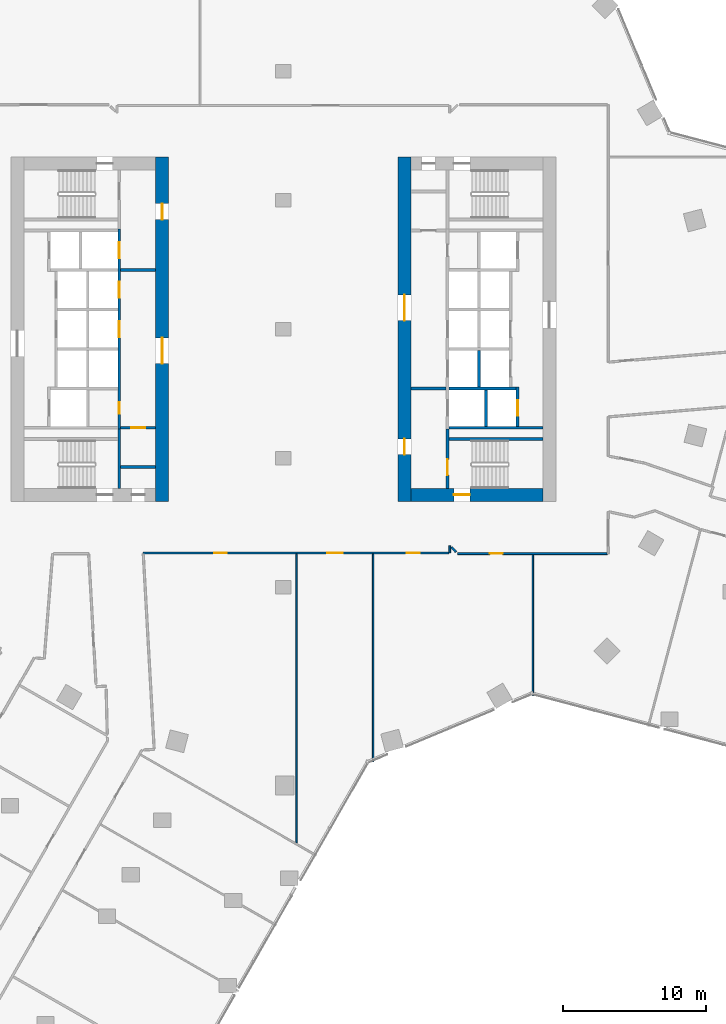
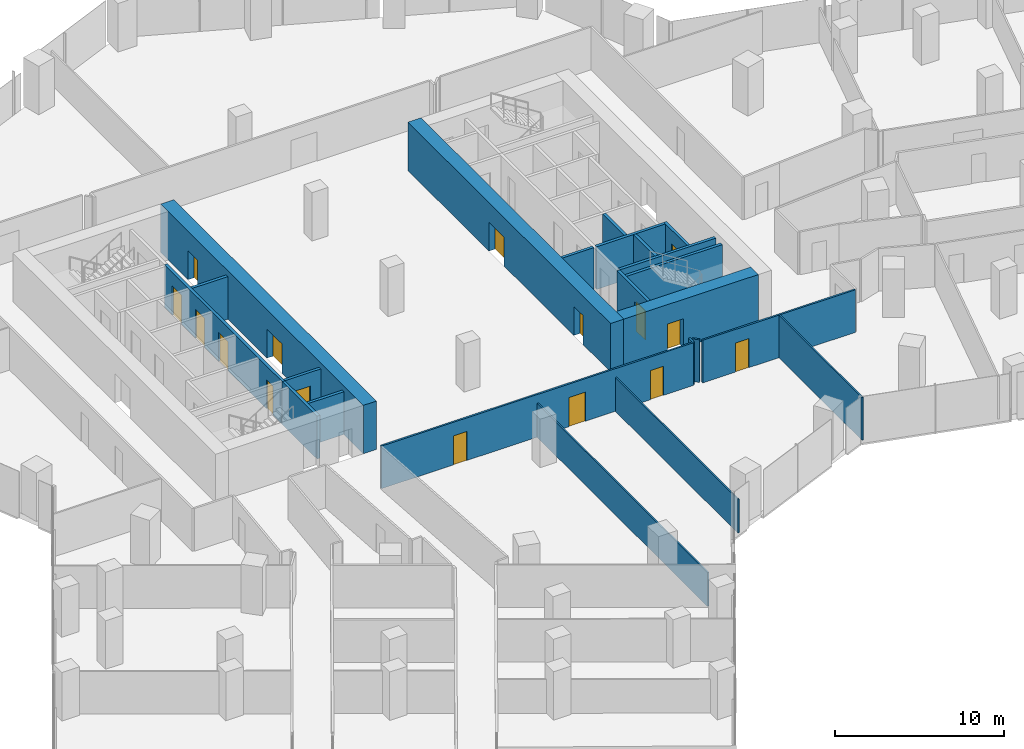
# One storey, part 28 of 35: 23 walls, 16 doors, 16 openings.
"""IFC4 building model written with IfcOpenShell, lengths in metres."""

from ifc_helpers import new_model, si_unit, direction, frame, frame_2d, origin, place, context, subcontext, project, spatial, rectangle, extrude, material, layer, layer_set, type_object, element, fill, save


model = new_model("IFC4")

# Units and contexts
model_context = context("Model", 3, precision=1e-05, world=origin(), true_north=direction((0.0, 1.0)))
body_context = subcontext(model_context, "Body", "Model", "MODEL_VIEW")
ifc_project = project(units=[si_unit("LENGTHUNIT", "METRE"), si_unit("AREAUNIT", "SQUARE_METRE"), si_unit("VOLUMEUNIT", "CUBIC_METRE"), si_unit("PLANEANGLEUNIT", "RADIAN"), si_unit("MASSUNIT", "GRAM", prefix="KILO")], contexts=[model_context])

# Site, building, storey
site_placement = place(None, origin())
site = spatial("IfcSite", under=ifc_project, at=site_placement, CompositionType="ELEMENT")
building_placement = place(site_placement, origin())
building = spatial("IfcBuilding", under=site, at=building_placement, Name="Orlundy Tower", CompositionType="ELEMENT")
storey_placement = place(building_placement, frame((0.0, 0.0, 116.199951171875)))
storey = spatial("IfcBuildingStorey", under=building, at=storey_placement, Name="L29", CompositionType="ELEMENT", Elevation=116.199951171875)

# Wall, openings, doors
ifc_material_1 = material(Name="Concrete C80/95", Category="concrete")
ifc_layer_1 = layer(ifc_material_1, 0.89990234375)
ifc_layer_set_1 = layer_set([ifc_layer_1], Name="CORE WALL 900 C80/95")
wall_type_1 = type_object("IfcWallType", Name="CORE WALL 900 C80/95", PredefinedType="SHEAR", material=ifc_layer_set_1)
wall_1_placement = place(storey_placement, frame((-8.449951171875, -12.0, 0.0), z_axis=(0.0, 0.0, 1.0), x_axis=(0.0, 1.0, 0.0)))
wall_1 = element("IfcWall", 1, at=wall_1_placement, inside=storey, type_object=wall_type_1, Name="Core wall W-E L29", PredefinedType="SHEAR", context=body_context, shape_type="SweptSolid", body=[
    extrude(rectangle(XDim=24.0, YDim=0.89990234375, at=frame_2d((12.0, 0.0))), origin(), (0.0, 0.0, 1.0), 3.5),
])
opening_1_placement = place(wall_1_placement, frame((9.60009765625, 0.0, 0.0)))
opening_1 = element("IfcOpeningElement", 2, at=opening_1_placement, cuts=wall_1, Name="Opening 22009", PredefinedType="OPENING", context=body_context, shape_type="SweptSolid", body=[
    extrude(rectangle(XDim=1.800048828125, YDim=2.10009765625, at=frame_2d((0.89990234375, 1.050048828125))), frame((0.0, 0.4599609375, 0.0), z_axis=(0.0, -1.0, 0.0), x_axis=(1.0, 0.0, 0.0)), (0.0, 0.0, 1.0), 0.919921875),
])
opening_2_placement = place(wall_1_placement, frame((19.64990234375, 0.0, 0.0)))
opening_2 = element("IfcOpeningElement", 3, at=opening_2_placement, cuts=wall_1, Name="Opening 22011", PredefinedType="OPENING", context=body_context, shape_type="SweptSolid", body=[
    extrude(rectangle(XDim=1.10009765625, YDim=2.10009765625, at=frame_2d((0.550048828125, 1.050048828125))), frame((0.0, 0.4599609375, 0.0), z_axis=(0.0, -1.0, 0.0), x_axis=(1.0, 0.0, 0.0)), (0.0, 0.0, 1.0), 0.919921875),
])
ifc_material_2 = material(Name="Steel door set", Category="steel")
door_type_1 = type_object("IfcDoorType", Name="Fire-fighting Lobby Door 1100x2100", OperationType="SINGLE_SWING_LEFT", PredefinedType="DOOR", material=ifc_material_2)
door_1_placement = place(opening_2_placement, origin())
door_1 = element("IfcDoor", 4, at=door_1_placement, inside=storey, type_object=door_type_1, Name="Fire-fighting lobby door 22011", OperationType="SINGLE_SWING_RIGHT", OverallHeight=2.10009765625, OverallWidth=1.10009765625, PredefinedType="DOOR", context=body_context, shape_type="SweptSolid", body=[
    extrude(rectangle(XDim=1.10009765625, YDim=2.10009765625, at=frame_2d((0.550048828125, 1.050048828125))), frame((0.0, 0.02490234375, 0.0), z_axis=(0.0, -1.0, 0.0), x_axis=(1.0, 0.0, 0.0)), (0.0, 0.0, 1.0), 0.050048828125),
])
fill(opening_2, door_1)
ifc_material_3 = material(Name="Timber door set", Category="wood")
door_type_2 = type_object("IfcDoorType", Name="Lobby Door 1800x2100", OperationType="DOUBLE_DOOR_DOUBLE_SWING", PredefinedType="DOOR", material=ifc_material_3)
door_2_placement = place(opening_1_placement, origin())
door_2 = element("IfcDoor", 5, at=door_2_placement, inside=storey, type_object=door_type_2, Name="Lift lobby door 22009", OperationType="SINGLE_SWING_LEFT", OverallHeight=2.10009765625, OverallWidth=1.800048828125, PredefinedType="DOOR", context=body_context, shape_type="SweptSolid", body=[
    extrude(rectangle(XDim=1.800048828125, YDim=2.10009765625, at=frame_2d((0.89990234375, 1.050048828125))), frame((0.0, 0.02490234375, 0.0), z_axis=(0.0, -1.0, 0.0), x_axis=(1.0, 0.0, 0.0)), (0.0, 0.0, 1.0), 0.050048828125),
])
fill(opening_1, door_2)

# Wall, opening, door
wall_2_placement = place(storey_placement, frame((8.89990234375, -11.550048828125, 0.0), z_axis=(0.0, 0.0, 1.0), x_axis=(1.0, 0.0, 0.0)))
wall_2 = element("IfcWall", 6, at=wall_2_placement, inside=storey, type_object=wall_type_1, Name="Core wall E-S L29", PredefinedType="SHEAR", context=body_context, shape_type="SweptSolid", body=[
    extrude(rectangle(XDim=9.2001953125, YDim=0.89990234375, at=frame_2d((4.60009765625, 0.0))), origin(), (0.0, 0.0, 1.0), 3.5),
])
opening_3_placement = place(wall_2_placement, frame((3.0, 0.0, 0.0)))
opening_3 = element("IfcOpeningElement", 7, at=opening_3_placement, cuts=wall_2, Name="Opening 22061", PredefinedType="OPENING", context=body_context, shape_type="SweptSolid", body=[
    extrude(rectangle(XDim=1.10009765625, YDim=2.10009765625, at=frame_2d((0.550048828125, 1.050048828125))), frame((0.0, 0.4599609375, 0.0), z_axis=(0.0, -1.0, 0.0), x_axis=(1.0, 0.0, 0.0)), (0.0, 0.0, 1.0), 0.919921875),
])
ifc_material_4 = material(Name="Steel door set", Category="steel")
door_type_3 = type_object("IfcDoorType", Name="Stair Door 1100x2100", OperationType="SINGLE_SWING_LEFT", PredefinedType="DOOR", material=ifc_material_4)
door_3_placement = place(opening_3_placement, origin())
door_3 = element("IfcDoor", 8, at=door_3_placement, inside=storey, type_object=door_type_3, Name="Stair door 22061", OperationType="SINGLE_SWING_LEFT", OverallHeight=2.10009765625, OverallWidth=1.10009765625, PredefinedType="DOOR", context=body_context, shape_type="SweptSolid", body=[
    extrude(rectangle(XDim=1.10009765625, YDim=2.10009765625, at=frame_2d((0.550048828125, 1.050048828125))), frame((0.0, 0.02490234375, 0.0), z_axis=(0.0, -1.0, 0.0), x_axis=(1.0, 0.0, 0.0)), (0.0, 0.0, 1.0), 0.050048828125),
])
fill(opening_3, door_3)

# Wall, openings, doors
wall_3_placement = place(storey_placement, frame((8.449951171875, -12.0, 0.0), z_axis=(0.0, 0.0, 1.0), x_axis=(0.0, 1.0, 0.0)))
wall_3 = element("IfcWall", 9, at=wall_3_placement, inside=storey, type_object=wall_type_1, Name="Core wall E-W L29", PredefinedType="SHEAR", context=body_context, shape_type="SweptSolid", body=[
    extrude(rectangle(XDim=24.0, YDim=0.89990234375, at=frame_2d((12.0, 0.0))), origin(), (0.0, 0.0, 1.0), 3.5),
])
opening_4_placement = place(wall_3_placement, frame((12.60009765625, 0.0, 0.0)))
opening_4 = element("IfcOpeningElement", 10, at=opening_4_placement, cuts=wall_3, Name="Opening 22058", PredefinedType="OPENING", context=body_context, shape_type="SweptSolid", body=[
    extrude(rectangle(XDim=1.800048828125, YDim=2.10009765625, at=frame_2d((0.89990234375, 1.050048828125))), frame((0.0, 0.4599609375, 0.0), z_axis=(0.0, -1.0, 0.0), x_axis=(1.0, 0.0, 0.0)), (0.0, 0.0, 1.0), 0.919921875),
])
opening_5_placement = place(wall_3_placement, frame((3.25, 0.0, 0.0)))
opening_5 = element("IfcOpeningElement", 11, at=opening_5_placement, cuts=wall_3, Name="Opening 22060", PredefinedType="OPENING", context=body_context, shape_type="SweptSolid", body=[
    extrude(rectangle(XDim=1.10009765625, YDim=2.10009765625, at=frame_2d((0.550048828125, 1.050048828125))), frame((0.0, 0.4599609375, 0.0), z_axis=(0.0, -1.0, 0.0), x_axis=(1.0, 0.0, 0.0)), (0.0, 0.0, 1.0), 0.919921875),
])
door_4_placement = place(opening_5_placement, origin())
door_4 = element("IfcDoor", 12, at=door_4_placement, inside=storey, type_object=door_type_1, Name="Fire-fighting lobby door 22060", OperationType="SINGLE_SWING_LEFT", OverallHeight=2.10009765625, OverallWidth=1.10009765625, PredefinedType="DOOR", context=body_context, shape_type="SweptSolid", body=[
    extrude(rectangle(XDim=1.10009765625, YDim=2.10009765625, at=frame_2d((0.550048828125, 1.050048828125))), frame((0.0, 0.02490234375, 0.0), z_axis=(0.0, -1.0, 0.0), x_axis=(1.0, 0.0, 0.0)), (0.0, 0.0, 1.0), 0.050048828125),
])
fill(opening_5, door_4)
door_5_placement = place(opening_4_placement, origin())
door_5 = element("IfcDoor", 13, at=door_5_placement, inside=storey, type_object=door_type_2, Name="Lift lobby door 22058", OperationType="SINGLE_SWING_RIGHT", OverallHeight=2.10009765625, OverallWidth=1.800048828125, PredefinedType="DOOR", context=body_context, shape_type="SweptSolid", body=[
    extrude(rectangle(XDim=1.800048828125, YDim=2.10009765625, at=frame_2d((0.89990234375, 1.050048828125))), frame((0.0, 0.02490234375, 0.0), z_axis=(0.0, -1.0, 0.0), x_axis=(1.0, 0.0, 0.0)), (0.0, 0.0, 1.0), 0.050048828125),
])
fill(opening_4, door_5)

# Walls
ifc_material_5 = material(Name="Gypsum board partition")
ifc_layer_2 = layer(ifc_material_5, 0.10009765625)
ifc_layer_set_2 = layer_set([ifc_layer_2], Name="Floor partition 100")
wall_type_2 = type_object("IfcWallType", Name="Floor partition 100", PredefinedType="PARTITIONING", material=ifc_layer_set_2)
wall_4_placement = place(storey_placement, frame((17.405029296875, -25.556884765625, 0.0), z_axis=(0.0, 0.0, 1.0), x_axis=(0.0, 1.0, 0.0)))
element("IfcWall", 14, at=wall_4_placement, inside=storey, type_object=wall_type_2, Name="wall-int-L29-080", PredefinedType="PARTITIONING", context=body_context, shape_type="SweptSolid", body=[
    extrude(rectangle(XDim=9.843994140625, YDim=0.10009765625, at=frame_2d((4.921875, 0.0))), origin(), (0.0, 0.0, 1.0), 3.080078125),
])
ifc_material_6 = material(Name="Gypsum board partition")
ifc_layer_3 = layer(ifc_material_6, 0.10009765625)
ifc_layer_set_3 = layer_set([ifc_layer_3], Name="Floor partition 100 B")
wall_type_3 = type_object("IfcWallType", Name="Floor partition 100 B", PredefinedType="PARTITIONING", material=ifc_layer_set_3)
wall_5_placement = place(storey_placement, frame((6.257080078125, -30.1689453125, 0.0), z_axis=(0.0, 0.0, 1.0), x_axis=(0.0, 1.0, 0.0)))
element("IfcWall", 15, at=wall_5_placement, inside=storey, type_object=wall_type_3, Name="wall-int-L29-083", PredefinedType="PARTITIONING", context=body_context, shape_type="SweptSolid", body=[
    extrude(rectangle(XDim=14.5068359375, YDim=0.10009765625, at=frame_2d((7.25341796875, 0.0))), origin(), (0.0, 0.0, 1.0), 2.445068359375),
])
wall_6_placement = place(storey_placement, frame((0.9140625, -35.820068359375, 0.0), z_axis=(0.0, 0.0, 1.0), x_axis=(0.0, 1.0, 0.0)))
element("IfcWall", 16, at=wall_6_placement, inside=storey, type_object=wall_type_3, Name="wall-int-L29-084", PredefinedType="PARTITIONING", context=body_context, shape_type="SweptSolid", body=[
    extrude(rectangle(XDim=20.157958984375, YDim=0.10009765625, at=frame_2d((10.0791015625, 0.0))), origin(), (0.0, 0.0, 1.0), 2.445068359375),
])
ifc_material_7 = material(Name="Gypsum board partition, double layer")
ifc_layer_4 = layer(ifc_material_7, 0.125)
ifc_layer_set_4 = layer_set([ifc_layer_4], Name="Floor partition 125")
wall_type_4 = type_object("IfcWallType", Name="Floor partition 125", PredefinedType="PARTITIONING", material=ifc_layer_set_4)
wall_7_placement = place(storey_placement, frame((11.72900390625, -15.20703125, 0.0), z_axis=(0.0, 0.0, 1.0), x_axis=(0.707106781187, -0.707106781187, 0.0)))
element("IfcWall", 17, at=wall_7_placement, inside=storey, type_object=wall_type_4, Name="wall-int-L29-007", PredefinedType="PARTITIONING", context=body_context, shape_type="SweptSolid", body=[
    extrude(rectangle(XDim=0.4482421875, YDim=0.125, at=frame_2d((0.22412109375, 0.0))), origin(), (0.0, 0.0, 1.0), 3.080078125),
])

# Wall, opening, door
wall_8_placement = place(storey_placement, frame((22.5869140625, -15.65087890625, 0.0), z_axis=(0.0, 0.0, 1.0), x_axis=(-1.0, 0.0, 0.0)))
wall_8 = element("IfcWall", 18, at=wall_8_placement, inside=storey, type_object=wall_type_4, Name="wall-int-L29-038", PredefinedType="PARTITIONING", context=body_context, shape_type="SweptSolid", body=[
    extrude(rectangle(XDim=10.427001953125, YDim=0.125, at=frame_2d((5.21337890625, 0.0))), origin(), (0.0, 0.0, 1.0), 3.080078125),
])
opening_6_placement = place(wall_8_placement, frame((7.282470703125, 0.0, 0.0)))
opening_6 = element("IfcOpeningElement", 19, at=opening_6_placement, cuts=wall_8, Name="Opening 22126", PredefinedType="OPENING", context=body_context, shape_type="SweptSolid", body=[
    extrude(rectangle(XDim=0.89990234375, YDim=2.10009765625, at=frame_2d((0.449951171875, 1.050048828125))), frame((0.0, 0.072509765625, 0.0), z_axis=(0.0, -1.0, 0.0), x_axis=(1.0, 0.0, 0.0)), (0.0, 0.0, 1.0), 0.14501953125),
])
ifc_material_8 = material(Name="Timber door leaf", Category="wood")
door_type_4 = type_object("IfcDoorType", Name="Floor door single 900 FD30S", OperationType="NOTDEFINED", PredefinedType="DOOR", material=ifc_material_8)
door_6_placement = place(opening_6_placement, origin())
door_6 = element("IfcDoor", 20, at=door_6_placement, inside=storey, type_object=door_type_4, Name="Door 22126", OperationType="SINGLE_SWING_RIGHT", OverallHeight=2.10009765625, OverallWidth=0.89990234375, PredefinedType="DOOR", context=body_context, shape_type="SweptSolid", body=[
    extrude(rectangle(XDim=0.89990234375, YDim=2.10009765625, at=frame_2d((0.449951171875, 1.050048828125))), frame((0.0, 0.02490234375, 0.0), z_axis=(0.0, -1.0, 0.0), x_axis=(1.0, 0.0, 0.0)), (0.0, 0.0, 1.0), 0.050048828125),
])
fill(opening_6, door_6)

# Wall, openings, doors
wall_9_placement = place(storey_placement, frame((11.5390625, -15.60009765625, 0.0), z_axis=(0.0, 0.0, 1.0), x_axis=(-1.0, 0.0, 0.0)))
wall_9 = element("IfcWall", 21, at=wall_9_placement, inside=storey, type_object=wall_type_4, Name="wall-int-L29-039", PredefinedType="PARTITIONING", context=body_context, shape_type="SweptSolid", body=[
    extrude(rectangle(XDim=21.31103515625, YDim=0.125, at=frame_2d((10.655517578125, 0.0))), origin(), (0.0, 0.0, 1.0), 3.080078125),
])
opening_7_placement = place(wall_9_placement, frame((15.474609375, 0.0, 0.0)))
opening_7 = element("IfcOpeningElement", 22, at=opening_7_placement, cuts=wall_9, Name="Opening 22123", PredefinedType="OPENING", context=body_context, shape_type="SweptSolid", body=[
    extrude(rectangle(XDim=0.89990234375, YDim=2.10009765625, at=frame_2d((0.449951171875, 1.050048828125))), frame((0.0, 0.072509765625, 0.0), z_axis=(0.0, -1.0, 0.0), x_axis=(1.0, 0.0, 0.0)), (0.0, 0.0, 1.0), 0.14501953125),
])
opening_8_placement = place(wall_9_placement, frame((7.381591796875, 0.0, 0.0)))
opening_8 = element("IfcOpeningElement", 23, at=opening_8_placement, cuts=wall_9, Name="Opening 22124", PredefinedType="OPENING", context=body_context, shape_type="SweptSolid", body=[
    extrude(rectangle(XDim=1.10009765625, YDim=2.10009765625, at=frame_2d((0.550048828125, 1.050048828125))), frame((0.0, 0.072509765625, 0.0), z_axis=(0.0, -1.0, 0.0), x_axis=(1.0, 0.0, 0.0)), (0.0, 0.0, 1.0), 0.14501953125),
])
opening_9_placement = place(wall_9_placement, frame((2.03759765625, 0.0, 0.0)))
opening_9 = element("IfcOpeningElement", 24, at=opening_9_placement, cuts=wall_9, Name="Opening 22125", PredefinedType="OPENING", context=body_context, shape_type="SweptSolid", body=[
    extrude(rectangle(XDim=0.89990234375, YDim=2.10009765625, at=frame_2d((0.449951171875, 1.050048828125))), frame((0.0, 0.072509765625, 0.0), z_axis=(0.0, -1.0, 0.0), x_axis=(1.0, 0.0, 0.0)), (0.0, 0.0, 1.0), 0.14501953125),
])
door_7_placement = place(opening_7_placement, origin())
door_7 = element("IfcDoor", 25, at=door_7_placement, inside=storey, type_object=door_type_4, Name="Door 22123", OperationType="SINGLE_SWING_RIGHT", OverallHeight=2.10009765625, OverallWidth=0.89990234375, PredefinedType="DOOR", context=body_context, shape_type="SweptSolid", body=[
    extrude(rectangle(XDim=0.89990234375, YDim=2.10009765625, at=frame_2d((0.449951171875, 1.050048828125))), frame((0.0, 0.02490234375, 0.0), z_axis=(0.0, -1.0, 0.0), x_axis=(1.0, 0.0, 0.0)), (0.0, 0.0, 1.0), 0.050048828125),
])
fill(opening_7, door_7)
door_8_placement = place(opening_9_placement, origin())
door_8 = element("IfcDoor", 26, at=door_8_placement, inside=storey, type_object=door_type_4, Name="Door 22125", OperationType="SINGLE_SWING_LEFT", OverallHeight=2.10009765625, OverallWidth=0.89990234375, PredefinedType="DOOR", context=body_context, shape_type="SweptSolid", body=[
    extrude(rectangle(XDim=0.89990234375, YDim=2.10009765625, at=frame_2d((0.449951171875, 1.050048828125))), frame((0.0, 0.02490234375, 0.0), z_axis=(0.0, -1.0, 0.0), x_axis=(1.0, 0.0, 0.0)), (0.0, 0.0, 1.0), 0.050048828125),
])
fill(opening_9, door_8)
ifc_material_9 = material(Name="Timber door leaf", Category="wood")
door_type_5 = type_object("IfcDoorType", Name="Floor door xwide 1100 FD30S", OperationType="NOTDEFINED", PredefinedType="DOOR", material=ifc_material_9)
door_9_placement = place(opening_8_placement, origin())
door_9 = element("IfcDoor", 27, at=door_9_placement, inside=storey, type_object=door_type_5, Name="Door 22124", OperationType="SINGLE_SWING_LEFT", OverallHeight=2.10009765625, OverallWidth=1.10009765625, PredefinedType="DOOR", context=body_context, shape_type="SweptSolid", body=[
    extrude(rectangle(XDim=1.10009765625, YDim=2.10009765625, at=frame_2d((0.550048828125, 1.050048828125))), frame((0.0, 0.02490234375, 0.0), z_axis=(0.0, -1.0, 0.0), x_axis=(1.0, 0.0, 0.0)), (0.0, 0.0, 1.0), 0.050048828125),
])
fill(opening_8, door_9)

# Walls
wall_10_placement = place(storey_placement, frame((11.60107421875, -15.60009765625, 0.0), z_axis=(0.0, 0.0, 1.0), x_axis=(0.0, 1.0, 0.0)))
element("IfcWall", 28, at=wall_10_placement, inside=storey, type_object=wall_type_4, Name="wall-int-L29-081", PredefinedType="PARTITIONING", context=body_context, shape_type="SweptSolid", body=[
    extrude(rectangle(XDim=0.508056640625, YDim=0.125, at=frame_2d((0.25390625, 0.0))), origin(), (0.0, 0.0, 1.0), 3.080078125),
])
ifc_material_10 = material(Name="Concrete C40/50", Category="concrete")
ifc_layer_5 = layer(ifc_material_10, 0.199951171875)
ifc_layer_set_5 = layer_set([ifc_layer_5], Name="Load-bearing Shaft Wall 200")
wall_type_5 = type_object("IfcWallType", Name="Load-bearing Shaft Wall 200", PredefinedType="SOLIDWALL", material=ifc_layer_set_5)
wall_11_placement = place(storey_placement, frame((-11.43994140625, -11.10009765625, 0.0), z_axis=(0.0, 0.0, 1.0), x_axis=(0.0, 1.0, 0.0)))
element("IfcWall", 29, at=wall_11_placement, inside=storey, type_object=wall_type_5, Name="Shaft wall W22-stair-end-s", PredefinedType="SOLIDWALL", context=body_context, shape_type="SweptSolid", body=[
    extrude(rectangle(XDim=4.125, YDim=0.199951171875, at=frame_2d((2.0625, 0.0))), origin(), (0.0, 0.0, 1.0), 3.090087890625),
])

# Wall, opening, door
wall_12_placement = place(storey_placement, frame((11.43994140625, -6.97509765625, 0.0), z_axis=(0.0, 0.0, 1.0), x_axis=(0.0, -1.0, 0.0)))
wall_12 = element("IfcWall", 30, at=wall_12_placement, inside=storey, type_object=wall_type_5, Name="Shaft wall E22-stair-end-n", PredefinedType="SOLIDWALL", context=body_context, shape_type="SweptSolid", body=[
    extrude(rectangle(XDim=4.125, YDim=0.199951171875, at=frame_2d((2.0625, 0.0))), origin(), (0.0, 0.0, 1.0), 3.090087890625),
])
opening_10_placement = place(wall_12_placement, frame((2.10009765625, 0.0, 0.0)))
opening_10 = element("IfcOpeningElement", 31, at=opening_10_placement, cuts=wall_12, Name="Opening 22063", PredefinedType="OPENING", context=body_context, shape_type="SweptSolid", body=[
    extrude(rectangle(XDim=1.10009765625, YDim=2.10009765625, at=frame_2d((0.550048828125, 1.050048828125))), frame((0.0, 0.110107421875, 0.0), z_axis=(0.0, -1.0, 0.0), x_axis=(1.0, 0.0, 0.0)), (0.0, 0.0, 1.0), 0.22021484375),
])
door_10_placement = place(opening_10_placement, origin())
door_10 = element("IfcDoor", 32, at=door_10_placement, inside=storey, type_object=door_type_1, Name="Fire-fighting lobby to stair door 22063", OperationType="SINGLE_SWING_RIGHT", OverallHeight=2.10009765625, OverallWidth=1.10009765625, PredefinedType="DOOR", context=body_context, shape_type="SweptSolid", body=[
    extrude(rectangle(XDim=1.10009765625, YDim=2.10009765625, at=frame_2d((0.550048828125, 1.050048828125))), frame((0.0, 0.02490234375, 0.0), z_axis=(0.0, -1.0, 0.0), x_axis=(1.0, 0.0, 0.0)), (0.0, 0.0, 1.0), 0.050048828125),
])
fill(opening_10, door_10)

# Walls
wall_13_placement = place(storey_placement, frame((11.5400390625, -7.64990234375, 0.0), z_axis=(0.0, 0.0, 1.0), x_axis=(1.0, 0.0, 0.0)))
element("IfcWall", 33, at=wall_13_placement, inside=storey, type_object=wall_type_5, Name="Shaft wall E22-stair-side-n", PredefinedType="SOLIDWALL", context=body_context, shape_type="SweptSolid", body=[
    extrude(rectangle(XDim=6.56005859375, YDim=0.199951171875, at=frame_2d((3.280029296875, 0.0))), origin(), (0.0, 0.0, 1.0), 3.090087890625),
])
ifc_material_11 = material(Name="Gypsum board partition on steel studs", Category="steel")
ifc_layer_6 = layer(ifc_material_11, 0.199951171875)
ifc_layer_set_6 = layer_set([ifc_layer_6], Name="Partition 200")
wall_type_6 = type_object("IfcWallType", Name="Partition 200", PredefinedType="PARTITIONING", material=ifc_layer_set_6)
wall_14_placement = place(storey_placement, frame((-8.89990234375, 4.125, 0.0), z_axis=(0.0, 0.0, 1.0), x_axis=(-1.0, 0.0, 0.0)))
element("IfcWall", 34, at=wall_14_placement, inside=storey, type_object=wall_type_6, Name="Partition wall W22-lobby-n", PredefinedType="PARTITIONING", context=body_context, shape_type="SweptSolid", body=[
    extrude(rectangle(XDim=2.440185546875, YDim=0.199951171875, at=frame_2d((1.22021484375, 0.0))), origin(), (0.0, 0.0, 1.0), 3.090087890625),
])

# Wall, opening, door
wall_15_placement = place(storey_placement, frame((-8.89990234375, -6.875, 0.0), z_axis=(0.0, 0.0, 1.0), x_axis=(-1.0, 0.0, 0.0)))
wall_15 = element("IfcWall", 35, at=wall_15_placement, inside=storey, type_object=wall_type_6, Name="Partition wall W22-end-s", PredefinedType="PARTITIONING", context=body_context, shape_type="SweptSolid", body=[
    extrude(rectangle(XDim=2.440185546875, YDim=0.199951171875, at=frame_2d((1.22021484375, 0.0))), origin(), (0.0, 0.0, 1.0), 3.090087890625),
])
opening_11_placement = place(wall_15_placement, frame((0.719970703125, 0.0, 0.0)))
opening_11 = element("IfcOpeningElement", 36, at=opening_11_placement, cuts=wall_15, Name="Opening 22016", PredefinedType="OPENING", context=body_context, shape_type="SweptSolid", body=[
    extrude(rectangle(XDim=1.0, YDim=2.10009765625, at=frame_2d((0.5, 1.050048828125))), frame((0.0, 0.110107421875, 0.0), z_axis=(0.0, -1.0, 0.0), x_axis=(1.0, 0.0, 0.0)), (0.0, 0.0, 1.0), 0.22021484375),
])
ifc_material_12 = material(Name="Timber door set", Category="wood")
door_type_6 = type_object("IfcDoorType", Name="Accessible Door 1000x2100", OperationType="SINGLE_SWING_LEFT", PredefinedType="DOOR", material=ifc_material_12)
door_11_placement = place(opening_11_placement, origin())
door_11 = element("IfcDoor", 37, at=door_11_placement, inside=storey, type_object=door_type_6, Name="Accessible WC door 22016", OperationType="SINGLE_SWING_RIGHT", OverallHeight=2.10009765625, OverallWidth=1.0, PredefinedType="DOOR", context=body_context, shape_type="SweptSolid", body=[
    extrude(rectangle(XDim=1.0, YDim=2.10009765625, at=frame_2d((0.5, 1.050048828125))), frame((0.0, 0.02490234375, 0.0), z_axis=(0.0, -1.0, 0.0), x_axis=(1.0, 0.0, 0.0)), (0.0, 0.0, 1.0), 0.050048828125),
])
fill(opening_11, door_11)

# Walls
for number, where, z_axis, x_axis, name in (
    (38, (-8.89990234375, -9.60009765625, 0.0), (0.0, 0.0, 1.0), (-1.0, 0.0, 0.0), "Partition wall W22-room-s0"),
    (39, (8.89990234375, -4.125, 0.0), (0.0, 0.0, 1.0), (1.0, 0.0, 0.0), "Partition wall E22-lobby-n"),
):
    element("IfcWall", number, at=place(storey_placement, frame(where, z_axis=z_axis, x_axis=x_axis)), inside=storey, type_object=wall_type_6, Name=name, PredefinedType="PARTITIONING", context=body_context, shape_type="SweptSolid", body=[
        extrude(rectangle(XDim=2.440185546875, YDim=0.199951171875, at=frame_2d((1.22021484375, 0.0))), origin(), (0.0, 0.0, 1.0), 3.090087890625),
    ])

# Wall, openings, doors
ifc_material_13 = material(Name="Fire-rated blockwork shaft wall", Category="masonry")
ifc_layer_7 = layer(ifc_material_13, 0.199951171875)
ifc_layer_set_7 = layer_set([ifc_layer_7], Name="Shaft Wall 200")
wall_type_7 = type_object("IfcWallType", Name="Shaft Wall 200", PredefinedType="SOLIDWALL", material=ifc_layer_set_7)
wall_16_placement = place(storey_placement, frame((-11.43994140625, -6.97509765625, 0.0), z_axis=(0.0, 0.0, 1.0), x_axis=(0.0, 1.0, 0.0)))
wall_16 = element("IfcWall", 40, at=wall_16_placement, inside=storey, type_object=wall_type_7, Name="Shaft wall W22-front-h", PredefinedType="SOLIDWALL", context=body_context, shape_type="SweptSolid", body=[
    extrude(rectangle(XDim=13.9501953125, YDim=0.199951171875, at=frame_2d((6.97509765625, 0.0))), origin(), (0.0, 0.0, 1.0), 3.090087890625),
])
opening_12_placement = place(wall_16_placement, frame((6.425048828125, 0.0, 0.0)))
opening_12 = element("IfcOpeningElement", 41, at=opening_12_placement, cuts=wall_16, Name="Opening 22002", PredefinedType="OPENING", context=body_context, shape_type="SweptSolid", body=[
    extrude(rectangle(XDim=1.10009765625, YDim=2.10009765625, at=frame_2d((0.550048828125, 1.050048828125))), frame((0.0, 0.110107421875, 0.0), z_axis=(0.0, -1.0, 0.0), x_axis=(1.0, 0.0, 0.0)), (0.0, 0.0, 1.0), 0.22021484375),
])
opening_13_placement = place(wall_16_placement, frame((9.175048828125, 0.0, 0.0)))
opening_13 = element("IfcOpeningElement", 42, at=opening_13_placement, cuts=wall_16, Name="Opening 22004", PredefinedType="OPENING", context=body_context, shape_type="SweptSolid", body=[
    extrude(rectangle(XDim=1.10009765625, YDim=2.10009765625, at=frame_2d((0.550048828125, 1.050048828125))), frame((0.0, 0.110107421875, 0.0), z_axis=(0.0, -1.0, 0.0), x_axis=(1.0, 0.0, 0.0)), (0.0, 0.0, 1.0), 0.22021484375),
])
opening_14_placement = place(wall_16_placement, frame((11.925048828125, 0.0, 0.0)))
opening_14 = element("IfcOpeningElement", 43, at=opening_14_placement, cuts=wall_16, Name="Opening 22006", PredefinedType="OPENING", context=body_context, shape_type="SweptSolid", body=[
    extrude(rectangle(XDim=1.10009765625, YDim=2.10009765625, at=frame_2d((0.550048828125, 1.050048828125))), frame((0.0, 0.110107421875, 0.0), z_axis=(0.0, -1.0, 0.0), x_axis=(1.0, 0.0, 0.0)), (0.0, 0.0, 1.0), 0.22021484375),
])
opening_15_placement = place(wall_16_placement, frame((1.074951171875, 0.0, 0.0)))
opening_15 = element("IfcOpeningElement", 44, at=opening_15_placement, cuts=wall_16, Name="Opening 22008", PredefinedType="OPENING", context=body_context, shape_type="SweptSolid", body=[
    extrude(rectangle(XDim=0.800048828125, YDim=2.10009765625, at=frame_2d((0.39990234375, 1.050048828125))), frame((0.0, 0.110107421875, 0.0), z_axis=(0.0, -1.0, 0.0), x_axis=(1.0, 0.0, 0.0)), (0.0, 0.0, 1.0), 0.22021484375),
])
ifc_material_14 = material(Name="Steel door set", Category="steel")
door_type_7 = type_object("IfcDoorType", Name="Landing Door 1100x2100", OperationType="DOUBLE_DOOR_SLIDING", PredefinedType="DOOR", material=ifc_material_14)
door_12_placement = place(opening_12_placement, origin())
door_12 = element("IfcDoor", 45, at=door_12_placement, inside=storey, type_object=door_type_7, Name="Lift landing door LP-05 22002", OperationType="DOUBLE_DOOR_SLIDING", OverallHeight=2.10009765625, OverallWidth=1.10009765625, PredefinedType="DOOR", context=body_context, shape_type="SweptSolid", body=[
    extrude(rectangle(XDim=1.10009765625, YDim=2.10009765625, at=frame_2d((0.550048828125, 1.050048828125))), frame((0.0, 0.02490234375, 0.0), z_axis=(0.0, -1.0, 0.0), x_axis=(1.0, 0.0, 0.0)), (0.0, 0.0, 1.0), 0.050048828125),
])
fill(opening_12, door_12)
door_13_placement = place(opening_13_placement, origin())
door_13 = element("IfcDoor", 46, at=door_13_placement, inside=storey, type_object=door_type_7, Name="Lift landing door LP-02 22004", OperationType="DOUBLE_DOOR_SLIDING", OverallHeight=2.10009765625, OverallWidth=1.10009765625, PredefinedType="DOOR", context=body_context, shape_type="SweptSolid", body=[
    extrude(rectangle(XDim=1.10009765625, YDim=2.10009765625, at=frame_2d((0.550048828125, 1.050048828125))), frame((0.0, 0.02490234375, 0.0), z_axis=(0.0, -1.0, 0.0), x_axis=(1.0, 0.0, 0.0)), (0.0, 0.0, 1.0), 0.050048828125),
])
fill(opening_13, door_13)
door_14_placement = place(opening_14_placement, origin())
door_14 = element("IfcDoor", 47, at=door_14_placement, inside=storey, type_object=door_type_7, Name="Lift landing door FL1 22006", OperationType="DOUBLE_DOOR_SLIDING", OverallHeight=2.10009765625, OverallWidth=1.10009765625, PredefinedType="DOOR", context=body_context, shape_type="SweptSolid", body=[
    extrude(rectangle(XDim=1.10009765625, YDim=2.10009765625, at=frame_2d((0.550048828125, 1.050048828125))), frame((0.0, 0.02490234375, 0.0), z_axis=(0.0, -1.0, 0.0), x_axis=(1.0, 0.0, 0.0)), (0.0, 0.0, 1.0), 0.050048828125),
])
fill(opening_14, door_14)
ifc_material_15 = material(Name="Timber door set", Category="wood")
door_type_8 = type_object("IfcDoorType", Name="Riser Door 800x2100", OperationType="SINGLE_SWING_LEFT", PredefinedType="DOOR", material=ifc_material_15)
door_15_placement = place(opening_15_placement, origin())
door_15 = element("IfcDoor", 48, at=door_15_placement, inside=storey, type_object=door_type_8, Name="Pantry Store door 22008", OperationType="SINGLE_SWING_LEFT", OverallHeight=2.10009765625, OverallWidth=0.800048828125, PredefinedType="DOOR", context=body_context, shape_type="SweptSolid", body=[
    extrude(rectangle(XDim=0.800048828125, YDim=2.10009765625, at=frame_2d((0.39990234375, 1.050048828125))), frame((0.0, 0.02490234375, 0.0), z_axis=(0.0, -1.0, 0.0), x_axis=(1.0, 0.0, 0.0)), (0.0, 0.0, 1.0), 0.050048828125),
])
fill(opening_15, door_15)

# Walls
wall_17_placement = place(storey_placement, frame((11.5400390625, -6.875, 0.0), z_axis=(0.0, 0.0, 1.0), x_axis=(1.0, 0.0, 0.0)))
element("IfcWall", 49, at=wall_17_placement, inside=storey, type_object=wall_type_7, Name="Shaft wall E22-zone-n", PredefinedType="SOLIDWALL", context=body_context, shape_type="SweptSolid", body=[
    extrude(rectangle(XDim=6.56005859375, YDim=0.199951171875, at=frame_2d((3.280029296875, 0.0))), origin(), (0.0, 0.0, 1.0), 3.090087890625),
])
wall_18_placement = place(storey_placement, frame((11.5400390625, -4.125, 0.0), z_axis=(0.0, 0.0, 1.0), x_axis=(1.0, 0.0, 0.0)))
element("IfcWall", 50, at=wall_18_placement, inside=storey, type_object=wall_type_7, Name="Shaft wall E22-cross+4.125", PredefinedType="SOLIDWALL", context=body_context, shape_type="SweptSolid", body=[
    extrude(rectangle(XDim=4.699951171875, YDim=0.199951171875, at=frame_2d((2.35009765625, 0.0))), origin(), (0.0, 0.0, 1.0), 3.090087890625),
])
for number, where, z_axis, x_axis, name in (
    (51, (13.639892578125, -1.47509765625, 0.0), (0.0, 0.0, 1.0), (0.0, -1.0, 0.0), "Shaft wall E22-mid-a.3"),
    (52, (14.139892578125, -4.22509765625, 0.0), (0.0, 0.0, 1.0), (0.0, -1.0, 0.0), "Shaft wall E22-mid-b"),
):
    element("IfcWall", number, at=place(storey_placement, frame(where, z_axis=z_axis, x_axis=x_axis)), inside=storey, type_object=wall_type_7, Name=name, PredefinedType="SOLIDWALL", context=body_context, shape_type="SweptSolid", body=[
        extrude(rectangle(XDim=2.5498046875, YDim=0.199951171875, at=frame_2d((1.27490234375, 0.0))), origin(), (0.0, 0.0, 1.0), 3.090087890625),
    ])

# Wall, opening, door
wall_19_placement = place(storey_placement, frame((16.340087890625, -4.02490234375, 0.0), z_axis=(0.0, 0.0, 1.0), x_axis=(0.0, -1.0, 0.0)))
wall_19 = element("IfcWall", 53, at=wall_19_placement, inside=storey, type_object=wall_type_7, Name="Shaft wall E22-front-o-c", PredefinedType="SOLIDWALL", context=body_context, shape_type="SweptSolid", body=[
    extrude(rectangle(XDim=2.75, YDim=0.199951171875, at=frame_2d((1.375, 0.0))), origin(), (0.0, 0.0, 1.0), 3.090087890625),
])
opening_16_placement = place(wall_19_placement, frame((0.925048828125, 0.0, 0.0)))
opening_16 = element("IfcOpeningElement", 54, at=opening_16_placement, cuts=wall_19, Name="Opening 22056", PredefinedType="OPENING", context=body_context, shape_type="SweptSolid", body=[
    extrude(rectangle(XDim=1.10009765625, YDim=2.10009765625, at=frame_2d((0.550048828125, 1.050048828125))), frame((0.0, 0.110107421875, 0.0), z_axis=(0.0, -1.0, 0.0), x_axis=(1.0, 0.0, 0.0)), (0.0, 0.0, 1.0), 0.22021484375),
])
door_16_placement = place(opening_16_placement, origin())
door_16 = element("IfcDoor", 55, at=door_16_placement, inside=storey, type_object=door_type_7, Name="Lift landing door LP-09 22056", OperationType="DOUBLE_DOOR_SLIDING", OverallHeight=2.10009765625, OverallWidth=1.10009765625, PredefinedType="DOOR", context=body_context, shape_type="SweptSolid", body=[
    extrude(rectangle(XDim=1.10009765625, YDim=2.10009765625, at=frame_2d((0.550048828125, 1.050048828125))), frame((0.0, 0.02490234375, 0.0), z_axis=(0.0, -1.0, 0.0), x_axis=(1.0, 0.0, 0.0)), (0.0, 0.0, 1.0), 0.050048828125),
])
fill(opening_16, door_16)

save(model, "model.ifc")
